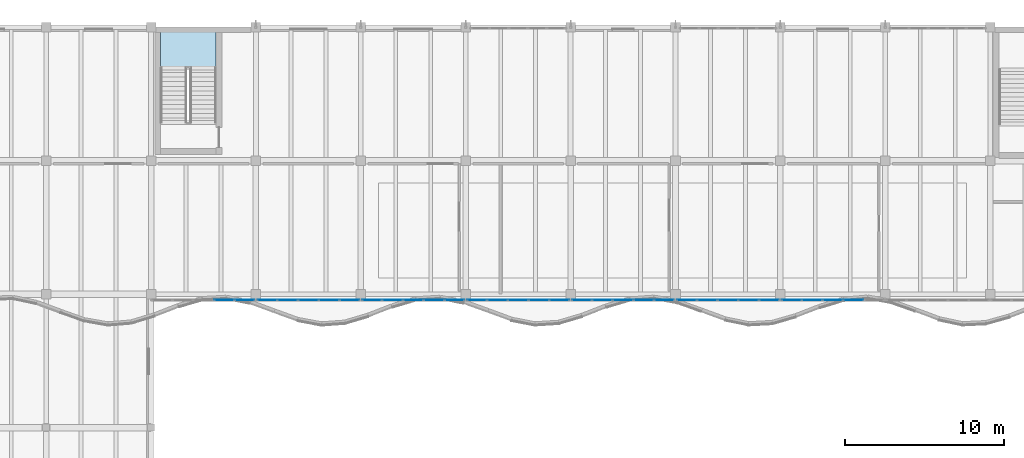
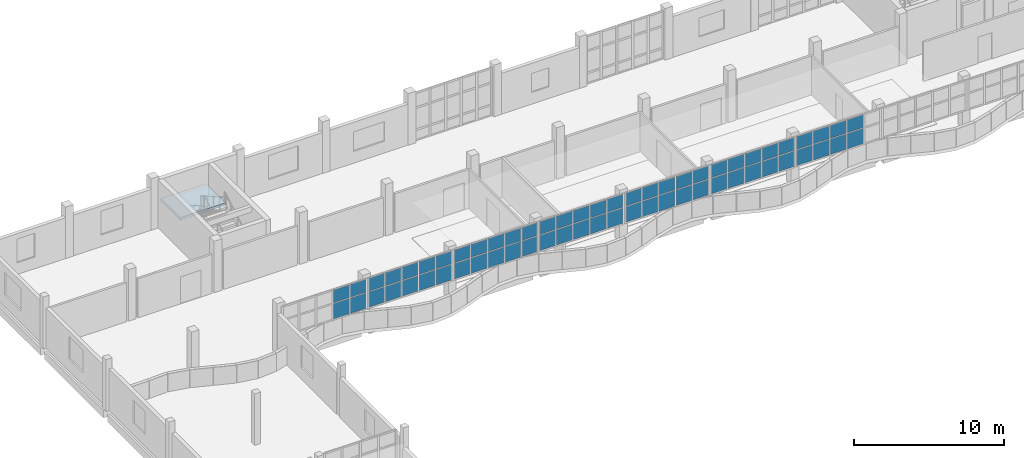
# One storey, part 34 of 74: 62 plates, 1 slab, 8 elements without a shape of their own.
"""IFC4 building model written with IfcOpenShell, lengths in metres."""

from ifc_helpers import new_model, si_unit, direction, frame, origin, origin_2d, place, context, subcontext, project, spatial, polyline, rectangle, outline, extrude, material, layer, layer_set, type_object, element, aggregate, save


model = new_model("IFC4")

# Units and contexts
model_context = context("Model", 3, precision=1e-05, world=origin(), true_north=direction((0.0, 1.0)))
body_context = subcontext(model_context, "Body", "Model", "MODEL_VIEW")
ifc_project = project(units=[si_unit("LENGTHUNIT", "METRE"), si_unit("AREAUNIT", "SQUARE_METRE"), si_unit("VOLUMEUNIT", "CUBIC_METRE"), si_unit("PLANEANGLEUNIT", "RADIAN"), si_unit("MASSUNIT", "GRAM", prefix="KILO")], contexts=[model_context])

# Site, building, storey
site_placement = place(None, origin())
site = spatial("IfcSite", under=ifc_project, at=site_placement, CompositionType="ELEMENT")
building_placement = place(site_placement, origin())
building = spatial("IfcBuilding", under=site, at=building_placement, Name="Qaldarim Faculty of Natural and Applied Sciences", CompositionType="ELEMENT")
storey_placement = place(building_placement, frame((0.0, 0.0, 14.39990234375)))
storey = spatial("IfcBuildingStorey", under=building, at=storey_placement, Name="L03", CompositionType="ELEMENT", Elevation=14.39990234375)

# Stair, slab
ifc_material_1 = material(Name="Concrete C40/50", Category="concrete")
stair_type = type_object("IfcStairType", Name="DoglegStair-W1650-H4200-26R", PredefinedType="HALF_TURN_STAIR", material=ifc_material_1)
stair_placement = place(storey_placement, origin())
stair = element("IfcStair", 1, at=stair_placement, inside=storey, type_object=stair_type, Name="Enclosed exit stair ST-B2 L03", PredefinedType="HALF_TURN_STAIR")
ifc_layer_1 = layer(ifc_material_1, 0.2099609375)
ifc_layer_set_1 = layer_set([ifc_layer_1], Name="Concrete C40/50")
slab_type = type_object("IfcSlabType", Name="StairLandingSlab-210", PredefinedType="LANDING", material=ifc_layer_set_1)
slab_placement = place(storey_placement, frame((0.0, 0.0, 1.89013671875)))
slab = element("IfcSlab", 2, at=slab_placement, type_object=slab_type, Name="ST-B2 L03 half-landing 1", PredefinedType="LANDING", context=body_context, shape_type="SweptSolid", body=[
    extrude(outline(polyline([(50.300048828125, 115.0048828125), (50.300048828125, 117.60009765625), (46.800048828125, 117.60009765625), (46.800048828125, 115.0048828125), (50.300048828125, 115.0048828125)])), origin(), (0.0, 0.0, 1.0), 0.2099609375),
])
aggregate(stair, [slab])

# Curtain wall, plates
ifc_material_2 = material(Name="Anodised aluminium AW-6063", Category="aluminium")
curtain_wall_type = type_object("IfcCurtainWallType", Name="CurtainWallSystem-M1400", PredefinedType="USERDEFINED", material=ifc_material_2)
curtain_wall_1_placement = place(storey_placement, origin())
curtain_wall_1 = element("IfcCurtainWall", 3, at=curtain_wall_1_placement, inside=storey, type_object=curtain_wall_type, Name="Curtain wall CW-V4RIB-L03-X08", ObjectType="STICK CURTAIN WALL", PredefinedType="USERDEFINED")
ifc_material_3 = material(Name="Insulated low-e double glazing", Category="glass")
ifc_layer_2 = layer(ifc_material_3, 0.028076171875)
ifc_layer_set_2 = layer_set([ifc_layer_2], Name="Insulated low-e double glazing")
plate_type = type_object("IfcPlateType", Name="VisionGlazingPanel-28", PredefinedType="CURTAIN_PANEL", material=ifc_layer_set_2)
plate_1_placement = place(storey_placement, frame((50.803955078125, 100.419921875, 1.51025390625), z_axis=(0.0, 0.0, 1.0), x_axis=(1.0, 0.0, 0.0)))
plate_1 = element("IfcPlate", 4, at=plate_1_placement, type_object=plate_type, Name="Glazed panel 4-1 of CW-V4RIB-L03-X08", PredefinedType="CURTAIN_PANEL", context=body_context, shape_type="SweptSolid", body=[
    extrude(rectangle(XDim=1.243896484375, YDim=0.028076171875, at=origin_2d()), origin(), (0.0, 0.0, 1.0), 1.260009765625),
])
plate_2_placement = place(storey_placement, frame((50.803955078125, 100.419921875, 2.830078125), z_axis=(0.0, 0.0, 1.0), x_axis=(1.0, 0.0, 0.0)))
plate_2 = element("IfcPlate", 5, at=plate_2_placement, type_object=plate_type, Name="Glazed panel 4-2 of CW-V4RIB-L03-X08", PredefinedType="CURTAIN_PANEL", context=body_context, shape_type="SweptSolid", body=[
    extrude(rectangle(XDim=1.243896484375, YDim=0.028076171875, at=origin_2d()), origin(), (0.0, 0.0, 1.0), 1.050048828125),
])
plate_3_placement = place(storey_placement, frame((52.093017578125, 100.419921875, 1.51025390625), z_axis=(0.0, 0.0, 1.0), x_axis=(1.0, 0.0, 0.0)))
plate_3 = element("IfcPlate", 6, at=plate_3_placement, type_object=plate_type, Name="Glazed panel 5-1 of CW-V4RIB-L03-X08", PredefinedType="CURTAIN_PANEL", context=body_context, shape_type="SweptSolid", body=[
    extrude(rectangle(XDim=1.214111328125, YDim=0.028076171875, at=origin_2d()), origin(), (0.0, 0.0, 1.0), 1.260009765625),
])
plate_4_placement = place(storey_placement, frame((52.093017578125, 100.419921875, 2.830078125), z_axis=(0.0, 0.0, 1.0), x_axis=(1.0, 0.0, 0.0)))
plate_4 = element("IfcPlate", 7, at=plate_4_placement, type_object=plate_type, Name="Glazed panel 5-2 of CW-V4RIB-L03-X08", PredefinedType="CURTAIN_PANEL", context=body_context, shape_type="SweptSolid", body=[
    extrude(rectangle(XDim=1.214111328125, YDim=0.028076171875, at=origin_2d()), origin(), (0.0, 0.0, 1.0), 1.050048828125),
])
aggregate(curtain_wall_1, [plate_1, plate_2, plate_3, plate_4])

curtain_wall_2_placement = place(storey_placement, origin())
curtain_wall_2 = element("IfcCurtainWall", 8, at=curtain_wall_2_placement, inside=storey, type_object=curtain_wall_type, Name="Curtain wall CW-V4RIB-L03-X09", ObjectType="STICK CURTAIN WALL", PredefinedType="USERDEFINED")
plate_5_placement = place(storey_placement, frame((53.507080078125, 100.419921875, 1.51025390625), z_axis=(0.0, 0.0, 1.0), x_axis=(1.0, 0.0, 0.0)))
plate_5 = element("IfcPlate", 9, at=plate_5_placement, type_object=plate_type, Name="Glazed panel 1-1 of CW-V4RIB-L03-X09", PredefinedType="CURTAIN_PANEL", context=body_context, shape_type="SweptSolid", body=[
    extrude(rectangle(XDim=1.214111328125, YDim=0.028076171875, at=origin_2d()), origin(), (0.0, 0.0, 1.0), 1.260009765625),
])
plate_6_placement = place(storey_placement, frame((53.507080078125, 100.419921875, 2.830078125), z_axis=(0.0, 0.0, 1.0), x_axis=(1.0, 0.0, 0.0)))
plate_6 = element("IfcPlate", 10, at=plate_6_placement, type_object=plate_type, Name="Glazed panel 1-2 of CW-V4RIB-L03-X09", PredefinedType="CURTAIN_PANEL", context=body_context, shape_type="SweptSolid", body=[
    extrude(rectangle(XDim=1.214111328125, YDim=0.028076171875, at=origin_2d()), origin(), (0.0, 0.0, 1.0), 1.050048828125),
])
plate_7_placement = place(storey_placement, frame((54.7958984375, 100.419921875, 1.51025390625), z_axis=(0.0, 0.0, 1.0), x_axis=(1.0, 0.0, 0.0)))
plate_7 = element("IfcPlate", 11, at=plate_7_placement, type_object=plate_type, Name="Glazed panel 2-1 of CW-V4RIB-L03-X09", PredefinedType="CURTAIN_PANEL", context=body_context, shape_type="SweptSolid", body=[
    extrude(rectangle(XDim=1.243896484375, YDim=0.028076171875, at=origin_2d()), origin(), (0.0, 0.0, 1.0), 1.260009765625),
])
plate_8_placement = place(storey_placement, frame((54.7958984375, 100.419921875, 2.830078125), z_axis=(0.0, 0.0, 1.0), x_axis=(1.0, 0.0, 0.0)))
plate_8 = element("IfcPlate", 12, at=plate_8_placement, type_object=plate_type, Name="Glazed panel 2-2 of CW-V4RIB-L03-X09", PredefinedType="CURTAIN_PANEL", context=body_context, shape_type="SweptSolid", body=[
    extrude(rectangle(XDim=1.243896484375, YDim=0.028076171875, at=origin_2d()), origin(), (0.0, 0.0, 1.0), 1.050048828125),
])
plate_9_placement = place(storey_placement, frame((56.10009765625, 100.419921875, 1.51025390625), z_axis=(0.0, 0.0, 1.0), x_axis=(1.0, 0.0, 0.0)))
plate_9 = element("IfcPlate", 13, at=plate_9_placement, type_object=plate_type, Name="Glazed panel 3-1 of CW-V4RIB-L03-X09", PredefinedType="CURTAIN_PANEL", context=body_context, shape_type="SweptSolid", body=[
    extrude(rectangle(XDim=1.243896484375, YDim=0.028076171875, at=origin_2d()), origin(), (0.0, 0.0, 1.0), 1.260009765625),
])
plate_10_placement = place(storey_placement, frame((56.10009765625, 100.419921875, 2.830078125), z_axis=(0.0, 0.0, 1.0), x_axis=(1.0, 0.0, 0.0)))
plate_10 = element("IfcPlate", 14, at=plate_10_placement, type_object=plate_type, Name="Glazed panel 3-2 of CW-V4RIB-L03-X09", PredefinedType="CURTAIN_PANEL", context=body_context, shape_type="SweptSolid", body=[
    extrude(rectangle(XDim=1.243896484375, YDim=0.028076171875, at=origin_2d()), origin(), (0.0, 0.0, 1.0), 1.050048828125),
])
plate_11_placement = place(storey_placement, frame((57.404052734375, 100.419921875, 1.51025390625), z_axis=(0.0, 0.0, 1.0), x_axis=(1.0, 0.0, 0.0)))
plate_11 = element("IfcPlate", 15, at=plate_11_placement, type_object=plate_type, Name="Glazed panel 4-1 of CW-V4RIB-L03-X09", PredefinedType="CURTAIN_PANEL", context=body_context, shape_type="SweptSolid", body=[
    extrude(rectangle(XDim=1.243896484375, YDim=0.028076171875, at=origin_2d()), origin(), (0.0, 0.0, 1.0), 1.260009765625),
])
plate_12_placement = place(storey_placement, frame((57.404052734375, 100.419921875, 2.830078125), z_axis=(0.0, 0.0, 1.0), x_axis=(1.0, 0.0, 0.0)))
plate_12 = element("IfcPlate", 16, at=plate_12_placement, type_object=plate_type, Name="Glazed panel 4-2 of CW-V4RIB-L03-X09", PredefinedType="CURTAIN_PANEL", context=body_context, shape_type="SweptSolid", body=[
    extrude(rectangle(XDim=1.243896484375, YDim=0.028076171875, at=origin_2d()), origin(), (0.0, 0.0, 1.0), 1.050048828125),
])
plate_13_placement = place(storey_placement, frame((58.693115234375, 100.419921875, 1.51025390625), z_axis=(0.0, 0.0, 1.0), x_axis=(1.0, 0.0, 0.0)))
plate_13 = element("IfcPlate", 17, at=plate_13_placement, type_object=plate_type, Name="Glazed panel 5-1 of CW-V4RIB-L03-X09", PredefinedType="CURTAIN_PANEL", context=body_context, shape_type="SweptSolid", body=[
    extrude(rectangle(XDim=1.214111328125, YDim=0.028076171875, at=origin_2d()), origin(), (0.0, 0.0, 1.0), 1.260009765625),
])
plate_14_placement = place(storey_placement, frame((58.693115234375, 100.419921875, 2.830078125), z_axis=(0.0, 0.0, 1.0), x_axis=(1.0, 0.0, 0.0)))
plate_14 = element("IfcPlate", 18, at=plate_14_placement, type_object=plate_type, Name="Glazed panel 5-2 of CW-V4RIB-L03-X09", PredefinedType="CURTAIN_PANEL", context=body_context, shape_type="SweptSolid", body=[
    extrude(rectangle(XDim=1.214111328125, YDim=0.028076171875, at=origin_2d()), origin(), (0.0, 0.0, 1.0), 1.050048828125),
])
aggregate(curtain_wall_2, [plate_5, plate_6, plate_7, plate_8, plate_9, plate_10, plate_11, plate_12, plate_13, plate_14])

curtain_wall_3_placement = place(storey_placement, origin())
curtain_wall_3 = element("IfcCurtainWall", 19, at=curtain_wall_3_placement, inside=storey, type_object=curtain_wall_type, Name="Curtain wall CW-V4RIB-L03-X10", ObjectType="STICK CURTAIN WALL", PredefinedType="USERDEFINED")
plate_15_placement = place(storey_placement, frame((60.10693359375, 100.419921875, 1.51025390625), z_axis=(0.0, 0.0, 1.0), x_axis=(1.0, 0.0, 0.0)))
plate_15 = element("IfcPlate", 20, at=plate_15_placement, type_object=plate_type, Name="Glazed panel 1-1 of CW-V4RIB-L03-X10", PredefinedType="CURTAIN_PANEL", context=body_context, shape_type="SweptSolid", body=[
    extrude(rectangle(XDim=1.214111328125, YDim=0.028076171875, at=origin_2d()), origin(), (0.0, 0.0, 1.0), 1.260009765625),
])
plate_16_placement = place(storey_placement, frame((60.10693359375, 100.419921875, 2.830078125), z_axis=(0.0, 0.0, 1.0), x_axis=(1.0, 0.0, 0.0)))
plate_16 = element("IfcPlate", 21, at=plate_16_placement, type_object=plate_type, Name="Glazed panel 1-2 of CW-V4RIB-L03-X10", PredefinedType="CURTAIN_PANEL", context=body_context, shape_type="SweptSolid", body=[
    extrude(rectangle(XDim=1.214111328125, YDim=0.028076171875, at=origin_2d()), origin(), (0.0, 0.0, 1.0), 1.050048828125),
])
plate_17_placement = place(storey_placement, frame((61.39599609375, 100.419921875, 1.51025390625), z_axis=(0.0, 0.0, 1.0), x_axis=(1.0, 0.0, 0.0)))
plate_17 = element("IfcPlate", 22, at=plate_17_placement, type_object=plate_type, Name="Glazed panel 2-1 of CW-V4RIB-L03-X10", PredefinedType="CURTAIN_PANEL", context=body_context, shape_type="SweptSolid", body=[
    extrude(rectangle(XDim=1.243896484375, YDim=0.028076171875, at=origin_2d()), origin(), (0.0, 0.0, 1.0), 1.260009765625),
])
plate_18_placement = place(storey_placement, frame((61.39599609375, 100.419921875, 2.830078125), z_axis=(0.0, 0.0, 1.0), x_axis=(1.0, 0.0, 0.0)))
plate_18 = element("IfcPlate", 23, at=plate_18_placement, type_object=plate_type, Name="Glazed panel 2-2 of CW-V4RIB-L03-X10", PredefinedType="CURTAIN_PANEL", context=body_context, shape_type="SweptSolid", body=[
    extrude(rectangle(XDim=1.243896484375, YDim=0.028076171875, at=origin_2d()), origin(), (0.0, 0.0, 1.0), 1.050048828125),
])
plate_19_placement = place(storey_placement, frame((62.699951171875, 100.419921875, 1.51025390625), z_axis=(0.0, 0.0, 1.0), x_axis=(1.0, 0.0, 0.0)))
plate_19 = element("IfcPlate", 24, at=plate_19_placement, type_object=plate_type, Name="Glazed panel 3-1 of CW-V4RIB-L03-X10", PredefinedType="CURTAIN_PANEL", context=body_context, shape_type="SweptSolid", body=[
    extrude(rectangle(XDim=1.243896484375, YDim=0.028076171875, at=origin_2d()), origin(), (0.0, 0.0, 1.0), 1.260009765625),
])
plate_20_placement = place(storey_placement, frame((62.699951171875, 100.419921875, 2.830078125), z_axis=(0.0, 0.0, 1.0), x_axis=(1.0, 0.0, 0.0)))
plate_20 = element("IfcPlate", 25, at=plate_20_placement, type_object=plate_type, Name="Glazed panel 3-2 of CW-V4RIB-L03-X10", PredefinedType="CURTAIN_PANEL", context=body_context, shape_type="SweptSolid", body=[
    extrude(rectangle(XDim=1.243896484375, YDim=0.028076171875, at=origin_2d()), origin(), (0.0, 0.0, 1.0), 1.050048828125),
])
plate_21_placement = place(storey_placement, frame((64.00390625, 100.419921875, 1.51025390625), z_axis=(0.0, 0.0, 1.0), x_axis=(1.0, 0.0, 0.0)))
plate_21 = element("IfcPlate", 26, at=plate_21_placement, type_object=plate_type, Name="Glazed panel 4-1 of CW-V4RIB-L03-X10", PredefinedType="CURTAIN_PANEL", context=body_context, shape_type="SweptSolid", body=[
    extrude(rectangle(XDim=1.243896484375, YDim=0.028076171875, at=origin_2d()), origin(), (0.0, 0.0, 1.0), 1.260009765625),
])
plate_22_placement = place(storey_placement, frame((64.00390625, 100.419921875, 2.830078125), z_axis=(0.0, 0.0, 1.0), x_axis=(1.0, 0.0, 0.0)))
plate_22 = element("IfcPlate", 27, at=plate_22_placement, type_object=plate_type, Name="Glazed panel 4-2 of CW-V4RIB-L03-X10", PredefinedType="CURTAIN_PANEL", context=body_context, shape_type="SweptSolid", body=[
    extrude(rectangle(XDim=1.243896484375, YDim=0.028076171875, at=origin_2d()), origin(), (0.0, 0.0, 1.0), 1.050048828125),
])
plate_23_placement = place(storey_placement, frame((65.29296875, 100.419921875, 1.51025390625), z_axis=(0.0, 0.0, 1.0), x_axis=(1.0, 0.0, 0.0)))
plate_23 = element("IfcPlate", 28, at=plate_23_placement, type_object=plate_type, Name="Glazed panel 5-1 of CW-V4RIB-L03-X10", PredefinedType="CURTAIN_PANEL", context=body_context, shape_type="SweptSolid", body=[
    extrude(rectangle(XDim=1.214111328125, YDim=0.028076171875, at=origin_2d()), origin(), (0.0, 0.0, 1.0), 1.260009765625),
])
plate_24_placement = place(storey_placement, frame((65.29296875, 100.419921875, 2.830078125), z_axis=(0.0, 0.0, 1.0), x_axis=(1.0, 0.0, 0.0)))
plate_24 = element("IfcPlate", 29, at=plate_24_placement, type_object=plate_type, Name="Glazed panel 5-2 of CW-V4RIB-L03-X10", PredefinedType="CURTAIN_PANEL", context=body_context, shape_type="SweptSolid", body=[
    extrude(rectangle(XDim=1.214111328125, YDim=0.028076171875, at=origin_2d()), origin(), (0.0, 0.0, 1.0), 1.050048828125),
])
aggregate(curtain_wall_3, [plate_15, plate_16, plate_17, plate_18, plate_19, plate_20, plate_21, plate_22, plate_23, plate_24])

curtain_wall_4_placement = place(storey_placement, origin())
curtain_wall_4 = element("IfcCurtainWall", 30, at=curtain_wall_4_placement, inside=storey, type_object=curtain_wall_type, Name="Curtain wall CW-V4RIB-L03-X11", ObjectType="STICK CURTAIN WALL", PredefinedType="USERDEFINED")
plate_25_placement = place(storey_placement, frame((66.70703125, 100.419921875, 1.51025390625), z_axis=(0.0, 0.0, 1.0), x_axis=(1.0, 0.0, 0.0)))
plate_25 = element("IfcPlate", 31, at=plate_25_placement, type_object=plate_type, Name="Glazed panel 1-1 of CW-V4RIB-L03-X11", PredefinedType="CURTAIN_PANEL", context=body_context, shape_type="SweptSolid", body=[
    extrude(rectangle(XDim=1.214111328125, YDim=0.028076171875, at=origin_2d()), origin(), (0.0, 0.0, 1.0), 1.260009765625),
])
plate_26_placement = place(storey_placement, frame((66.70703125, 100.419921875, 2.830078125), z_axis=(0.0, 0.0, 1.0), x_axis=(1.0, 0.0, 0.0)))
plate_26 = element("IfcPlate", 32, at=plate_26_placement, type_object=plate_type, Name="Glazed panel 1-2 of CW-V4RIB-L03-X11", PredefinedType="CURTAIN_PANEL", context=body_context, shape_type="SweptSolid", body=[
    extrude(rectangle(XDim=1.214111328125, YDim=0.028076171875, at=origin_2d()), origin(), (0.0, 0.0, 1.0), 1.050048828125),
])
plate_27_placement = place(storey_placement, frame((67.99609375, 100.419921875, 1.51025390625), z_axis=(0.0, 0.0, 1.0), x_axis=(1.0, 0.0, 0.0)))
plate_27 = element("IfcPlate", 33, at=plate_27_placement, type_object=plate_type, Name="Glazed panel 2-1 of CW-V4RIB-L03-X11", PredefinedType="CURTAIN_PANEL", context=body_context, shape_type="SweptSolid", body=[
    extrude(rectangle(XDim=1.243896484375, YDim=0.028076171875, at=origin_2d()), origin(), (0.0, 0.0, 1.0), 1.260009765625),
])
plate_28_placement = place(storey_placement, frame((67.99609375, 100.419921875, 2.830078125), z_axis=(0.0, 0.0, 1.0), x_axis=(1.0, 0.0, 0.0)))
plate_28 = element("IfcPlate", 34, at=plate_28_placement, type_object=plate_type, Name="Glazed panel 2-2 of CW-V4RIB-L03-X11", PredefinedType="CURTAIN_PANEL", context=body_context, shape_type="SweptSolid", body=[
    extrude(rectangle(XDim=1.243896484375, YDim=0.028076171875, at=origin_2d()), origin(), (0.0, 0.0, 1.0), 1.050048828125),
])
plate_29_placement = place(storey_placement, frame((69.300048828125, 100.419921875, 1.51025390625), z_axis=(0.0, 0.0, 1.0), x_axis=(1.0, 0.0, 0.0)))
plate_29 = element("IfcPlate", 35, at=plate_29_placement, type_object=plate_type, Name="Glazed panel 3-1 of CW-V4RIB-L03-X11", PredefinedType="CURTAIN_PANEL", context=body_context, shape_type="SweptSolid", body=[
    extrude(rectangle(XDim=1.243896484375, YDim=0.028076171875, at=origin_2d()), origin(), (0.0, 0.0, 1.0), 1.260009765625),
])
plate_30_placement = place(storey_placement, frame((69.300048828125, 100.419921875, 2.830078125), z_axis=(0.0, 0.0, 1.0), x_axis=(1.0, 0.0, 0.0)))
plate_30 = element("IfcPlate", 36, at=plate_30_placement, type_object=plate_type, Name="Glazed panel 3-2 of CW-V4RIB-L03-X11", PredefinedType="CURTAIN_PANEL", context=body_context, shape_type="SweptSolid", body=[
    extrude(rectangle(XDim=1.243896484375, YDim=0.028076171875, at=origin_2d()), origin(), (0.0, 0.0, 1.0), 1.050048828125),
])
plate_31_placement = place(storey_placement, frame((70.60400390625, 100.419921875, 1.51025390625), z_axis=(0.0, 0.0, 1.0), x_axis=(1.0, 0.0, 0.0)))
plate_31 = element("IfcPlate", 37, at=plate_31_placement, type_object=plate_type, Name="Glazed panel 4-1 of CW-V4RIB-L03-X11", PredefinedType="CURTAIN_PANEL", context=body_context, shape_type="SweptSolid", body=[
    extrude(rectangle(XDim=1.243896484375, YDim=0.028076171875, at=origin_2d()), origin(), (0.0, 0.0, 1.0), 1.260009765625),
])
plate_32_placement = place(storey_placement, frame((70.60400390625, 100.419921875, 2.830078125), z_axis=(0.0, 0.0, 1.0), x_axis=(1.0, 0.0, 0.0)))
plate_32 = element("IfcPlate", 38, at=plate_32_placement, type_object=plate_type, Name="Glazed panel 4-2 of CW-V4RIB-L03-X11", PredefinedType="CURTAIN_PANEL", context=body_context, shape_type="SweptSolid", body=[
    extrude(rectangle(XDim=1.243896484375, YDim=0.028076171875, at=origin_2d()), origin(), (0.0, 0.0, 1.0), 1.050048828125),
])
plate_33_placement = place(storey_placement, frame((71.89306640625, 100.419921875, 1.51025390625), z_axis=(0.0, 0.0, 1.0), x_axis=(1.0, 0.0, 0.0)))
plate_33 = element("IfcPlate", 39, at=plate_33_placement, type_object=plate_type, Name="Glazed panel 5-1 of CW-V4RIB-L03-X11", PredefinedType="CURTAIN_PANEL", context=body_context, shape_type="SweptSolid", body=[
    extrude(rectangle(XDim=1.214111328125, YDim=0.028076171875, at=origin_2d()), origin(), (0.0, 0.0, 1.0), 1.260009765625),
])
plate_34_placement = place(storey_placement, frame((71.89306640625, 100.419921875, 2.830078125), z_axis=(0.0, 0.0, 1.0), x_axis=(1.0, 0.0, 0.0)))
plate_34 = element("IfcPlate", 40, at=plate_34_placement, type_object=plate_type, Name="Glazed panel 5-2 of CW-V4RIB-L03-X11", PredefinedType="CURTAIN_PANEL", context=body_context, shape_type="SweptSolid", body=[
    extrude(rectangle(XDim=1.214111328125, YDim=0.028076171875, at=origin_2d()), origin(), (0.0, 0.0, 1.0), 1.050048828125),
])
aggregate(curtain_wall_4, [plate_25, plate_26, plate_27, plate_28, plate_29, plate_30, plate_31, plate_32, plate_33, plate_34])

curtain_wall_5_placement = place(storey_placement, origin())
curtain_wall_5 = element("IfcCurtainWall", 41, at=curtain_wall_5_placement, inside=storey, type_object=curtain_wall_type, Name="Curtain wall CW-V4RIB-L03-X12", ObjectType="STICK CURTAIN WALL", PredefinedType="USERDEFINED")
plate_35_placement = place(storey_placement, frame((73.306884765625, 100.419921875, 1.51025390625), z_axis=(0.0, 0.0, 1.0), x_axis=(1.0, 0.0, 0.0)))
plate_35 = element("IfcPlate", 42, at=plate_35_placement, type_object=plate_type, Name="Glazed panel 1-1 of CW-V4RIB-L03-X12", PredefinedType="CURTAIN_PANEL", context=body_context, shape_type="SweptSolid", body=[
    extrude(rectangle(XDim=1.214111328125, YDim=0.028076171875, at=origin_2d()), origin(), (0.0, 0.0, 1.0), 1.260009765625),
])
plate_36_placement = place(storey_placement, frame((73.306884765625, 100.419921875, 2.830078125), z_axis=(0.0, 0.0, 1.0), x_axis=(1.0, 0.0, 0.0)))
plate_36 = element("IfcPlate", 43, at=plate_36_placement, type_object=plate_type, Name="Glazed panel 1-2 of CW-V4RIB-L03-X12", PredefinedType="CURTAIN_PANEL", context=body_context, shape_type="SweptSolid", body=[
    extrude(rectangle(XDim=1.214111328125, YDim=0.028076171875, at=origin_2d()), origin(), (0.0, 0.0, 1.0), 1.050048828125),
])
plate_37_placement = place(storey_placement, frame((74.595947265625, 100.419921875, 1.51025390625), z_axis=(0.0, 0.0, 1.0), x_axis=(1.0, 0.0, 0.0)))
plate_37 = element("IfcPlate", 44, at=plate_37_placement, type_object=plate_type, Name="Glazed panel 2-1 of CW-V4RIB-L03-X12", PredefinedType="CURTAIN_PANEL", context=body_context, shape_type="SweptSolid", body=[
    extrude(rectangle(XDim=1.243896484375, YDim=0.028076171875, at=origin_2d()), origin(), (0.0, 0.0, 1.0), 1.260009765625),
])
plate_38_placement = place(storey_placement, frame((74.595947265625, 100.419921875, 2.830078125), z_axis=(0.0, 0.0, 1.0), x_axis=(1.0, 0.0, 0.0)))
plate_38 = element("IfcPlate", 45, at=plate_38_placement, type_object=plate_type, Name="Glazed panel 2-2 of CW-V4RIB-L03-X12", PredefinedType="CURTAIN_PANEL", context=body_context, shape_type="SweptSolid", body=[
    extrude(rectangle(XDim=1.243896484375, YDim=0.028076171875, at=origin_2d()), origin(), (0.0, 0.0, 1.0), 1.050048828125),
])
plate_39_placement = place(storey_placement, frame((75.89990234375, 100.419921875, 1.51025390625), z_axis=(0.0, 0.0, 1.0), x_axis=(1.0, 0.0, 0.0)))
plate_39 = element("IfcPlate", 46, at=plate_39_placement, type_object=plate_type, Name="Glazed panel 3-1 of CW-V4RIB-L03-X12", PredefinedType="CURTAIN_PANEL", context=body_context, shape_type="SweptSolid", body=[
    extrude(rectangle(XDim=1.243896484375, YDim=0.028076171875, at=origin_2d()), origin(), (0.0, 0.0, 1.0), 1.260009765625),
])
plate_40_placement = place(storey_placement, frame((75.89990234375, 100.419921875, 2.830078125), z_axis=(0.0, 0.0, 1.0), x_axis=(1.0, 0.0, 0.0)))
plate_40 = element("IfcPlate", 47, at=plate_40_placement, type_object=plate_type, Name="Glazed panel 3-2 of CW-V4RIB-L03-X12", PredefinedType="CURTAIN_PANEL", context=body_context, shape_type="SweptSolid", body=[
    extrude(rectangle(XDim=1.243896484375, YDim=0.028076171875, at=origin_2d()), origin(), (0.0, 0.0, 1.0), 1.050048828125),
])
plate_41_placement = place(storey_placement, frame((77.2041015625, 100.419921875, 1.51025390625), z_axis=(0.0, 0.0, 1.0), x_axis=(1.0, 0.0, 0.0)))
plate_41 = element("IfcPlate", 48, at=plate_41_placement, type_object=plate_type, Name="Glazed panel 4-1 of CW-V4RIB-L03-X12", PredefinedType="CURTAIN_PANEL", context=body_context, shape_type="SweptSolid", body=[
    extrude(rectangle(XDim=1.243896484375, YDim=0.028076171875, at=origin_2d()), origin(), (0.0, 0.0, 1.0), 1.260009765625),
])
plate_42_placement = place(storey_placement, frame((77.2041015625, 100.419921875, 2.830078125), z_axis=(0.0, 0.0, 1.0), x_axis=(1.0, 0.0, 0.0)))
plate_42 = element("IfcPlate", 49, at=plate_42_placement, type_object=plate_type, Name="Glazed panel 4-2 of CW-V4RIB-L03-X12", PredefinedType="CURTAIN_PANEL", context=body_context, shape_type="SweptSolid", body=[
    extrude(rectangle(XDim=1.243896484375, YDim=0.028076171875, at=origin_2d()), origin(), (0.0, 0.0, 1.0), 1.050048828125),
])
plate_43_placement = place(storey_placement, frame((78.492919921875, 100.419921875, 1.51025390625), z_axis=(0.0, 0.0, 1.0), x_axis=(1.0, 0.0, 0.0)))
plate_43 = element("IfcPlate", 50, at=plate_43_placement, type_object=plate_type, Name="Glazed panel 5-1 of CW-V4RIB-L03-X12", PredefinedType="CURTAIN_PANEL", context=body_context, shape_type="SweptSolid", body=[
    extrude(rectangle(XDim=1.214111328125, YDim=0.028076171875, at=origin_2d()), origin(), (0.0, 0.0, 1.0), 1.260009765625),
])
plate_44_placement = place(storey_placement, frame((78.492919921875, 100.419921875, 2.830078125), z_axis=(0.0, 0.0, 1.0), x_axis=(1.0, 0.0, 0.0)))
plate_44 = element("IfcPlate", 51, at=plate_44_placement, type_object=plate_type, Name="Glazed panel 5-2 of CW-V4RIB-L03-X12", PredefinedType="CURTAIN_PANEL", context=body_context, shape_type="SweptSolid", body=[
    extrude(rectangle(XDim=1.214111328125, YDim=0.028076171875, at=origin_2d()), origin(), (0.0, 0.0, 1.0), 1.050048828125),
])
aggregate(curtain_wall_5, [plate_35, plate_36, plate_37, plate_38, plate_39, plate_40, plate_41, plate_42, plate_43, plate_44])

curtain_wall_6_placement = place(storey_placement, origin())
curtain_wall_6 = element("IfcCurtainWall", 52, at=curtain_wall_6_placement, inside=storey, type_object=curtain_wall_type, Name="Curtain wall CW-V4RIB-L03-X13", ObjectType="STICK CURTAIN WALL", PredefinedType="USERDEFINED")
plate_45_placement = place(storey_placement, frame((79.906982421875, 100.419921875, 1.51025390625), z_axis=(0.0, 0.0, 1.0), x_axis=(1.0, 0.0, 0.0)))
plate_45 = element("IfcPlate", 53, at=plate_45_placement, type_object=plate_type, Name="Glazed panel 1-1 of CW-V4RIB-L03-X13", PredefinedType="CURTAIN_PANEL", context=body_context, shape_type="SweptSolid", body=[
    extrude(rectangle(XDim=1.214111328125, YDim=0.028076171875, at=origin_2d()), origin(), (0.0, 0.0, 1.0), 1.260009765625),
])
plate_46_placement = place(storey_placement, frame((79.906982421875, 100.419921875, 2.830078125), z_axis=(0.0, 0.0, 1.0), x_axis=(1.0, 0.0, 0.0)))
plate_46 = element("IfcPlate", 54, at=plate_46_placement, type_object=plate_type, Name="Glazed panel 1-2 of CW-V4RIB-L03-X13", PredefinedType="CURTAIN_PANEL", context=body_context, shape_type="SweptSolid", body=[
    extrude(rectangle(XDim=1.214111328125, YDim=0.028076171875, at=origin_2d()), origin(), (0.0, 0.0, 1.0), 1.050048828125),
])
plate_47_placement = place(storey_placement, frame((81.196044921875, 100.419921875, 1.51025390625), z_axis=(0.0, 0.0, 1.0), x_axis=(1.0, 0.0, 0.0)))
plate_47 = element("IfcPlate", 55, at=plate_47_placement, type_object=plate_type, Name="Glazed panel 2-1 of CW-V4RIB-L03-X13", PredefinedType="CURTAIN_PANEL", context=body_context, shape_type="SweptSolid", body=[
    extrude(rectangle(XDim=1.243896484375, YDim=0.028076171875, at=origin_2d()), origin(), (0.0, 0.0, 1.0), 1.260009765625),
])
plate_48_placement = place(storey_placement, frame((81.196044921875, 100.419921875, 2.830078125), z_axis=(0.0, 0.0, 1.0), x_axis=(1.0, 0.0, 0.0)))
plate_48 = element("IfcPlate", 56, at=plate_48_placement, type_object=plate_type, Name="Glazed panel 2-2 of CW-V4RIB-L03-X13", PredefinedType="CURTAIN_PANEL", context=body_context, shape_type="SweptSolid", body=[
    extrude(rectangle(XDim=1.243896484375, YDim=0.028076171875, at=origin_2d()), origin(), (0.0, 0.0, 1.0), 1.050048828125),
])
plate_49_placement = place(storey_placement, frame((82.5, 100.419921875, 1.51025390625), z_axis=(0.0, 0.0, 1.0), x_axis=(1.0, 0.0, 0.0)))
plate_49 = element("IfcPlate", 57, at=plate_49_placement, type_object=plate_type, Name="Glazed panel 3-1 of CW-V4RIB-L03-X13", PredefinedType="CURTAIN_PANEL", context=body_context, shape_type="SweptSolid", body=[
    extrude(rectangle(XDim=1.243896484375, YDim=0.028076171875, at=origin_2d()), origin(), (0.0, 0.0, 1.0), 1.260009765625),
])
plate_50_placement = place(storey_placement, frame((82.5, 100.419921875, 2.830078125), z_axis=(0.0, 0.0, 1.0), x_axis=(1.0, 0.0, 0.0)))
plate_50 = element("IfcPlate", 58, at=plate_50_placement, type_object=plate_type, Name="Glazed panel 3-2 of CW-V4RIB-L03-X13", PredefinedType="CURTAIN_PANEL", context=body_context, shape_type="SweptSolid", body=[
    extrude(rectangle(XDim=1.243896484375, YDim=0.028076171875, at=origin_2d()), origin(), (0.0, 0.0, 1.0), 1.050048828125),
])
plate_51_placement = place(storey_placement, frame((83.803955078125, 100.419921875, 1.51025390625), z_axis=(0.0, 0.0, 1.0), x_axis=(1.0, 0.0, 0.0)))
plate_51 = element("IfcPlate", 59, at=plate_51_placement, type_object=plate_type, Name="Glazed panel 4-1 of CW-V4RIB-L03-X13", PredefinedType="CURTAIN_PANEL", context=body_context, shape_type="SweptSolid", body=[
    extrude(rectangle(XDim=1.243896484375, YDim=0.028076171875, at=origin_2d()), origin(), (0.0, 0.0, 1.0), 1.260009765625),
])
plate_52_placement = place(storey_placement, frame((83.803955078125, 100.419921875, 2.830078125), z_axis=(0.0, 0.0, 1.0), x_axis=(1.0, 0.0, 0.0)))
plate_52 = element("IfcPlate", 60, at=plate_52_placement, type_object=plate_type, Name="Glazed panel 4-2 of CW-V4RIB-L03-X13", PredefinedType="CURTAIN_PANEL", context=body_context, shape_type="SweptSolid", body=[
    extrude(rectangle(XDim=1.243896484375, YDim=0.028076171875, at=origin_2d()), origin(), (0.0, 0.0, 1.0), 1.050048828125),
])
plate_53_placement = place(storey_placement, frame((85.093017578125, 100.419921875, 1.51025390625), z_axis=(0.0, 0.0, 1.0), x_axis=(1.0, 0.0, 0.0)))
plate_53 = element("IfcPlate", 61, at=plate_53_placement, type_object=plate_type, Name="Glazed panel 5-1 of CW-V4RIB-L03-X13", PredefinedType="CURTAIN_PANEL", context=body_context, shape_type="SweptSolid", body=[
    extrude(rectangle(XDim=1.214111328125, YDim=0.028076171875, at=origin_2d()), origin(), (0.0, 0.0, 1.0), 1.260009765625),
])
plate_54_placement = place(storey_placement, frame((85.093017578125, 100.419921875, 2.830078125), z_axis=(0.0, 0.0, 1.0), x_axis=(1.0, 0.0, 0.0)))
plate_54 = element("IfcPlate", 62, at=plate_54_placement, type_object=plate_type, Name="Glazed panel 5-2 of CW-V4RIB-L03-X13", PredefinedType="CURTAIN_PANEL", context=body_context, shape_type="SweptSolid", body=[
    extrude(rectangle(XDim=1.214111328125, YDim=0.028076171875, at=origin_2d()), origin(), (0.0, 0.0, 1.0), 1.050048828125),
])
aggregate(curtain_wall_6, [plate_45, plate_46, plate_47, plate_48, plate_49, plate_50, plate_51, plate_52, plate_53, plate_54])

curtain_wall_7_placement = place(storey_placement, origin())
curtain_wall_7 = element("IfcCurtainWall", 63, at=curtain_wall_7_placement, inside=storey, type_object=curtain_wall_type, Name="Curtain wall CW-V4RIB-L03-X14", ObjectType="STICK CURTAIN WALL", PredefinedType="USERDEFINED")
plate_55_placement = place(storey_placement, frame((86.507080078125, 100.419921875, 1.51025390625), z_axis=(0.0, 0.0, 1.0), x_axis=(1.0, 0.0, 0.0)))
plate_55 = element("IfcPlate", 64, at=plate_55_placement, type_object=plate_type, Name="Glazed panel 1-1 of CW-V4RIB-L03-X14", PredefinedType="CURTAIN_PANEL", context=body_context, shape_type="SweptSolid", body=[
    extrude(rectangle(XDim=1.214111328125, YDim=0.028076171875, at=origin_2d()), origin(), (0.0, 0.0, 1.0), 1.260009765625),
])
plate_56_placement = place(storey_placement, frame((86.507080078125, 100.419921875, 2.830078125), z_axis=(0.0, 0.0, 1.0), x_axis=(1.0, 0.0, 0.0)))
plate_56 = element("IfcPlate", 65, at=plate_56_placement, type_object=plate_type, Name="Glazed panel 1-2 of CW-V4RIB-L03-X14", PredefinedType="CURTAIN_PANEL", context=body_context, shape_type="SweptSolid", body=[
    extrude(rectangle(XDim=1.214111328125, YDim=0.028076171875, at=origin_2d()), origin(), (0.0, 0.0, 1.0), 1.050048828125),
])
plate_57_placement = place(storey_placement, frame((87.7958984375, 100.419921875, 1.51025390625), z_axis=(0.0, 0.0, 1.0), x_axis=(1.0, 0.0, 0.0)))
plate_57 = element("IfcPlate", 66, at=plate_57_placement, type_object=plate_type, Name="Glazed panel 2-1 of CW-V4RIB-L03-X14", PredefinedType="CURTAIN_PANEL", context=body_context, shape_type="SweptSolid", body=[
    extrude(rectangle(XDim=1.243896484375, YDim=0.028076171875, at=origin_2d()), origin(), (0.0, 0.0, 1.0), 1.260009765625),
])
plate_58_placement = place(storey_placement, frame((87.7958984375, 100.419921875, 2.830078125), z_axis=(0.0, 0.0, 1.0), x_axis=(1.0, 0.0, 0.0)))
plate_58 = element("IfcPlate", 67, at=plate_58_placement, type_object=plate_type, Name="Glazed panel 2-2 of CW-V4RIB-L03-X14", PredefinedType="CURTAIN_PANEL", context=body_context, shape_type="SweptSolid", body=[
    extrude(rectangle(XDim=1.243896484375, YDim=0.028076171875, at=origin_2d()), origin(), (0.0, 0.0, 1.0), 1.050048828125),
])
plate_59_placement = place(storey_placement, frame((89.10009765625, 100.419921875, 1.51025390625), z_axis=(0.0, 0.0, 1.0), x_axis=(1.0, 0.0, 0.0)))
plate_59 = element("IfcPlate", 68, at=plate_59_placement, type_object=plate_type, Name="Glazed panel 3-1 of CW-V4RIB-L03-X14", PredefinedType="CURTAIN_PANEL", context=body_context, shape_type="SweptSolid", body=[
    extrude(rectangle(XDim=1.243896484375, YDim=0.028076171875, at=origin_2d()), origin(), (0.0, 0.0, 1.0), 1.260009765625),
])
plate_60_placement = place(storey_placement, frame((89.10009765625, 100.419921875, 2.830078125), z_axis=(0.0, 0.0, 1.0), x_axis=(1.0, 0.0, 0.0)))
plate_60 = element("IfcPlate", 69, at=plate_60_placement, type_object=plate_type, Name="Glazed panel 3-2 of CW-V4RIB-L03-X14", PredefinedType="CURTAIN_PANEL", context=body_context, shape_type="SweptSolid", body=[
    extrude(rectangle(XDim=1.243896484375, YDim=0.028076171875, at=origin_2d()), origin(), (0.0, 0.0, 1.0), 1.050048828125),
])
plate_61_placement = place(storey_placement, frame((90.404052734375, 100.419921875, 1.51025390625), z_axis=(0.0, 0.0, 1.0), x_axis=(1.0, 0.0, 0.0)))
plate_61 = element("IfcPlate", 70, at=plate_61_placement, type_object=plate_type, Name="Glazed panel 4-1 of CW-V4RIB-L03-X14", PredefinedType="CURTAIN_PANEL", context=body_context, shape_type="SweptSolid", body=[
    extrude(rectangle(XDim=1.243896484375, YDim=0.028076171875, at=origin_2d()), origin(), (0.0, 0.0, 1.0), 1.260009765625),
])
plate_62_placement = place(storey_placement, frame((90.404052734375, 100.419921875, 2.830078125), z_axis=(0.0, 0.0, 1.0), x_axis=(1.0, 0.0, 0.0)))
plate_62 = element("IfcPlate", 71, at=plate_62_placement, type_object=plate_type, Name="Glazed panel 4-2 of CW-V4RIB-L03-X14", PredefinedType="CURTAIN_PANEL", context=body_context, shape_type="SweptSolid", body=[
    extrude(rectangle(XDim=1.243896484375, YDim=0.028076171875, at=origin_2d()), origin(), (0.0, 0.0, 1.0), 1.050048828125),
])
aggregate(curtain_wall_7, [plate_55, plate_56, plate_57, plate_58, plate_59, plate_60, plate_61, plate_62])

save(model, "model.ifc")
